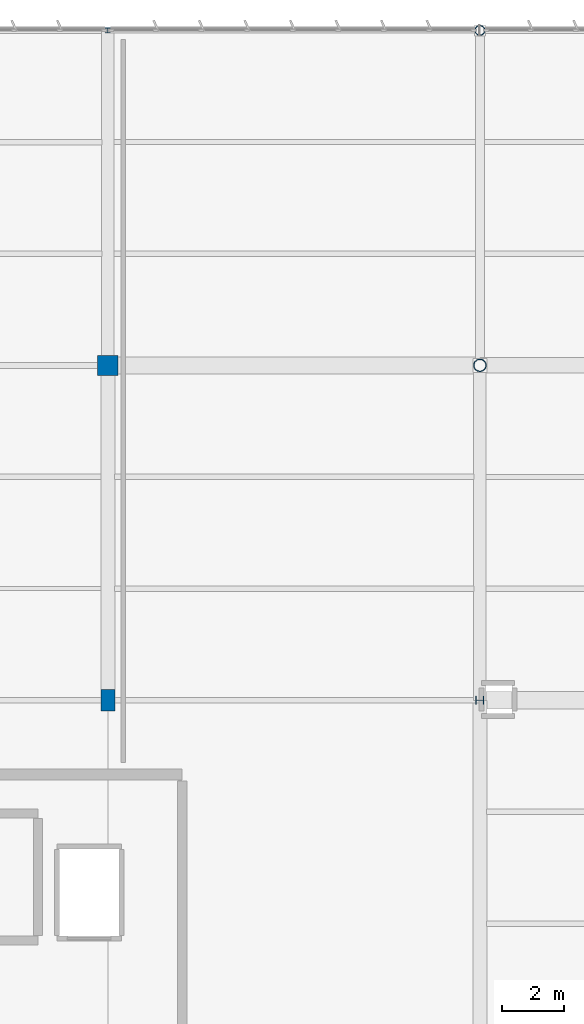
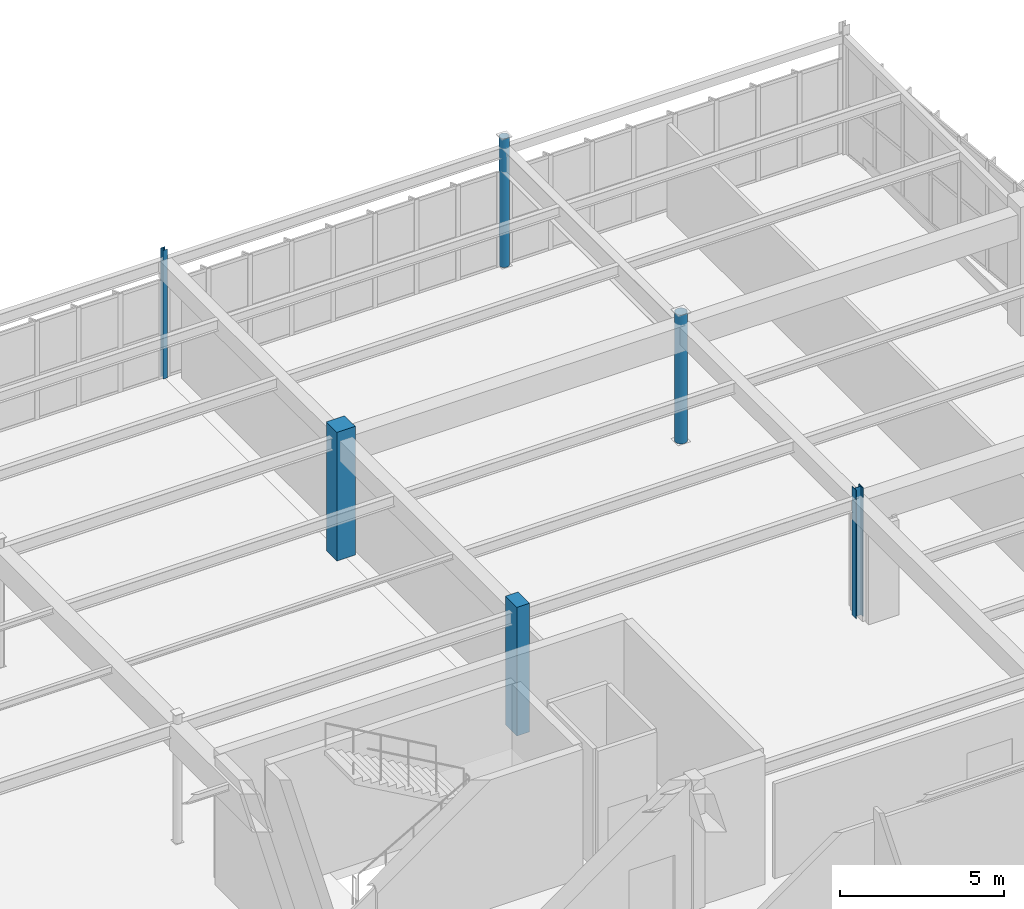
# One storey, part 58 of 226: 6 columns.
"""IFC4 building model written with IfcOpenShell, lengths in metres."""

from ifc_helpers import new_model, si_unit, direction, frame, origin, origin_2d, place, context, subcontext, project, spatial, rectangle, hollow_circle, i_section, extrude, material, material_profile, profile_set, type_object, element, save


model = new_model("IFC4")

# Units and contexts
model_context = context("Model", 3, precision=1e-05, world=origin(), true_north=direction((0.0, 1.0)))
body_context = subcontext(model_context, "Body", "Model", "MODEL_VIEW")
ifc_project = project(units=[si_unit("LENGTHUNIT", "METRE"), si_unit("AREAUNIT", "SQUARE_METRE"), si_unit("VOLUMEUNIT", "CUBIC_METRE"), si_unit("PLANEANGLEUNIT", "RADIAN"), si_unit("MASSUNIT", "GRAM", prefix="KILO")], contexts=[model_context])

# Site, building, storey
site_placement = place(None, origin())
site = spatial("IfcSite", under=ifc_project, at=site_placement, CompositionType="ELEMENT")
building_placement = place(site_placement, origin())
building = spatial("IfcBuilding", under=site, at=building_placement, Name="Tarnwether General Hospital", CompositionType="ELEMENT")
storey_placement = place(building_placement, frame((0.0, 0.0, 4.800048828125)))
storey = spatial("IfcBuildingStorey", under=building, at=storey_placement, Name="L01", CompositionType="ELEMENT", Elevation=4.800048828125)

# Columns
ifc_material_1 = material(Name="Steel Grade 350 (350 MPa)", Category="steel")
ifc_material_profile_1 = material_profile(ifc_material_1, i_section(OverallWidth=0.256103515625, OverallDepth=0.260009765625, WebThickness=0.010498046875, FlangeThickness=0.017333984375, at=origin_2d()), Name="250UC89.5")
ifc_profile_set_1 = profile_set([ifc_material_profile_1], Name="Steel Grade 350 (350 MPa)")
column_type_1 = type_object("IfcColumnType", Name="COL-09", PredefinedType="COLUMN", material=ifc_profile_set_1)
column_1_placement = place(storey_placement, frame((180.0, 104.39990234375, 0.0), z_axis=(0.0, 0.0, 1.0), x_axis=(0.0, 1.0, 0.0)))
element("IfcColumn", 1, at=column_1_placement, inside=storey, type_object=column_type_1, Name="Column COLG-L01-18000_10440", PredefinedType="COLUMN", context=body_context, shape_type="SweptSolid", body=[
    extrude(i_section(OverallWidth=0.256103515625, OverallDepth=0.260009765625, WebThickness=0.010498046875, FlangeThickness=0.017333984375, at=origin_2d()), origin(), (0.0, 0.0, 1.0), 4.800048828125),
])
ifc_material_2 = material(Name="Steel Grade C350L0 (350 MPa)", Category="steel")
ifc_material_profile_2 = material_profile(ifc_material_2, hollow_circle(Radius=0.203125, WallThickness=0.01611328125, at=origin_2d()), Name="CHS406.4x16.0")
ifc_profile_set_2 = profile_set([ifc_material_profile_2], Name="Steel Grade C350L0 (350 MPa)")
column_type_2 = type_object("IfcColumnType", Name="COL-10", PredefinedType="COLUMN", material=ifc_profile_set_2)
column_2_placement = place(storey_placement, frame((180.0, 115.199951171875, 0.0), z_axis=(0.0, 0.0, 1.0), x_axis=(0.0, 1.0, 0.0)))
element("IfcColumn", 2, at=column_2_placement, inside=storey, type_object=column_type_2, Name="Column COLG-L01-18000_11520", PredefinedType="COLUMN", context=body_context, shape_type="SweptSolid", body=[
    extrude(hollow_circle(Radius=0.203125, WallThickness=0.01611328125, at=origin_2d()), origin(), (0.0, 0.0, 1.0), 4.800048828125),
])
ifc_material_3 = material(Name="Concrete 50 MPa", Category="concrete")
ifc_material_profile_3 = material_profile(ifc_material_3, rectangle(XDim=0.449951171875, YDim=0.699951171875, at=origin_2d()), Name="RC-PIL-450x700")
ifc_profile_set_3 = profile_set([ifc_material_profile_3], Name="Concrete 50 MPa")
column_type_3 = type_object("IfcColumnType", Name="COL-22", PredefinedType="PILASTER", material=ifc_profile_set_3)
column_3_placement = place(storey_placement, frame((168.0, 104.39990234375, 0.0), z_axis=(0.0, 0.0, 1.0), x_axis=(1.0, 0.0, 0.0)))
element("IfcColumn", 3, at=column_3_placement, inside=storey, type_object=column_type_3, Name="Column COLG-L01-16800_10440", PredefinedType="PILASTER", context=body_context, shape_type="SweptSolid", body=[
    extrude(rectangle(XDim=0.449951171875, YDim=0.699951171875, at=origin_2d()), origin(), (0.0, 0.0, 1.0), 4.800048828125),
])
ifc_material_4 = material(Name="Steel Grade C350L0 (350 MPa)", Category="steel")
ifc_material_profile_4 = material_profile(ifc_material_4, hollow_circle(Radius=0.161865234375, WallThickness=0.0126953125, at=origin_2d()), Name="CHS323.9x12.7")
ifc_profile_set_4 = profile_set([ifc_material_profile_4], Name="Steel Grade C350L0 (350 MPa)")
column_type_4 = type_object("IfcColumnType", Name="COL-26", PredefinedType="COLUMN", material=ifc_profile_set_4)
column_4_placement = place(storey_placement, frame((180.0, 126.0, 0.0), z_axis=(0.0, 0.0, 1.0), x_axis=(0.0, 1.0, 0.0)))
element("IfcColumn", 4, at=column_4_placement, inside=storey, type_object=column_type_4, Name="Column COLG-L01-18000_12600", PredefinedType="COLUMN", context=body_context, shape_type="SweptSolid", body=[
    extrude(hollow_circle(Radius=0.161865234375, WallThickness=0.0126953125, at=origin_2d()), origin(), (0.0, 0.0, 1.0), 4.800048828125),
])
ifc_material_5 = material(Name="Steel Grade 350 (350 MPa)", Category="steel")
ifc_material_profile_5 = material_profile(ifc_material_5, i_section(OverallWidth=0.154052734375, OverallDepth=0.162109375, WebThickness=0.008056640625, FlangeThickness=0.011474609375, at=origin_2d()), Name="150UC37.2")
ifc_profile_set_5 = profile_set([ifc_material_profile_5], Name="Steel Grade 350 (350 MPa)")
column_type_5 = type_object("IfcColumnType", Name="COL-28", PredefinedType="COLUMN", material=ifc_profile_set_5)
column_5_placement = place(storey_placement, frame((168.0, 126.0, 0.0), z_axis=(0.0, 0.0, 1.0), x_axis=(1.0, 0.0, 0.0)))
element("IfcColumn", 5, at=column_5_placement, inside=storey, type_object=column_type_5, Name="Column COLG-L01-16800_12600", PredefinedType="COLUMN", context=body_context, shape_type="SweptSolid", body=[
    extrude(i_section(OverallWidth=0.154052734375, OverallDepth=0.162109375, WebThickness=0.008056640625, FlangeThickness=0.011474609375, at=origin_2d()), origin(), (0.0, 0.0, 1.0), 4.800048828125),
])
ifc_material_6 = material(Name="Concrete 50 MPa", Category="concrete")
ifc_material_profile_6 = material_profile(ifc_material_6, rectangle(XDim=0.64990234375, YDim=0.64990234375, at=origin_2d()), Name="RC-COL-650x650")
ifc_profile_set_6 = profile_set([ifc_material_profile_6], Name="Concrete 50 MPa")
column_type_6 = type_object("IfcColumnType", Name="COL-35", PredefinedType="COLUMN", material=ifc_profile_set_6)
column_6_placement = place(storey_placement, frame((168.0, 115.199951171875, 0.0), z_axis=(0.0, 0.0, 1.0), x_axis=(1.0, 0.0, 0.0)))
element("IfcColumn", 6, at=column_6_placement, inside=storey, type_object=column_type_6, Name="Column COLG-L01-16800_11520", PredefinedType="COLUMN", context=body_context, shape_type="SweptSolid", body=[
    extrude(rectangle(XDim=0.64990234375, YDim=0.64990234375, at=origin_2d()), origin(), (0.0, 0.0, 1.0), 4.800048828125),
])

save(model, "model.ifc")
